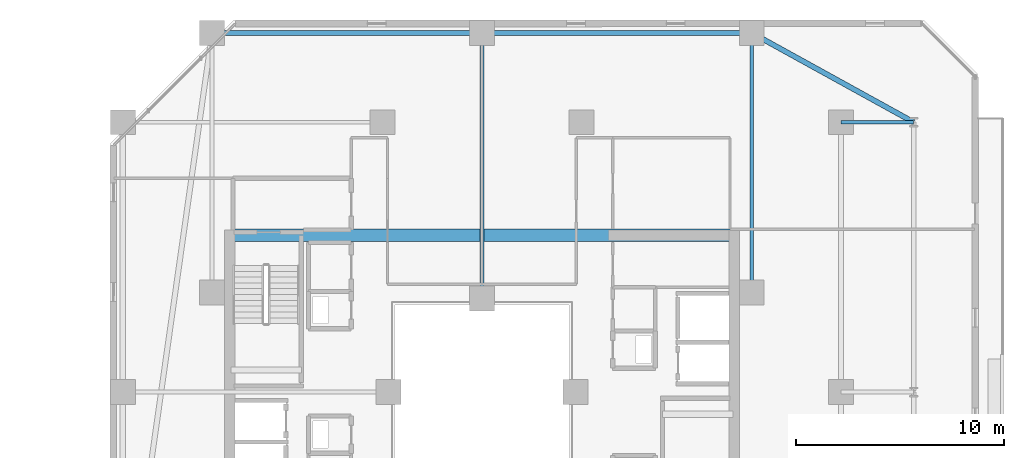
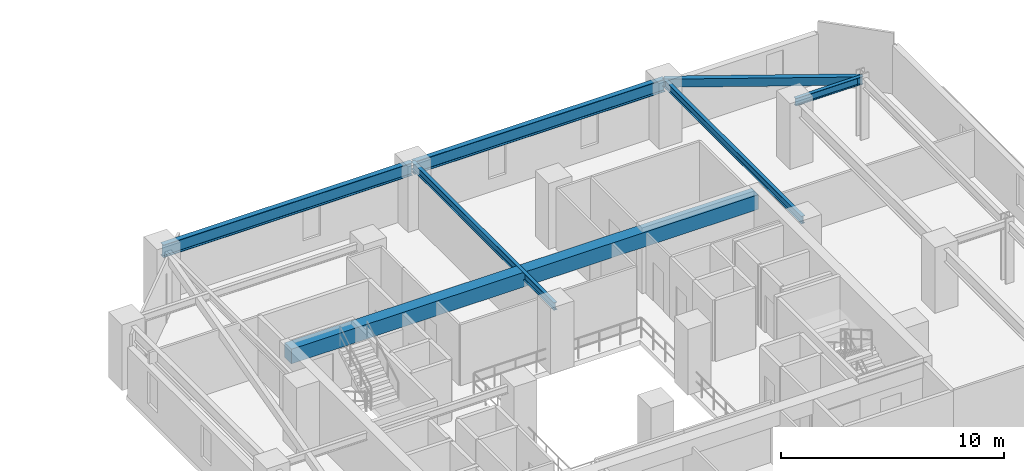
# One storey, part 15 of 32: 7 beams.
"""IFC4 building model written with IfcOpenShell, lengths in metres."""

from ifc_helpers import new_model, si_unit, direction, frame, origin, origin_2d, place, context, subcontext, project, spatial, rectangle, hollow_rectangle, i_section, extrude, material, material_profile, profile_set, type_object, element, save


model = new_model("IFC4")

# Units and contexts
model_context = context("Model", 3, precision=1e-05, world=origin(), true_north=direction((0.0, 1.0)))
body_context = subcontext(model_context, "Body", "Model", "MODEL_VIEW")
ifc_project = project(units=[si_unit("LENGTHUNIT", "METRE"), si_unit("AREAUNIT", "SQUARE_METRE"), si_unit("VOLUMEUNIT", "CUBIC_METRE"), si_unit("PLANEANGLEUNIT", "RADIAN"), si_unit("MASSUNIT", "GRAM", prefix="KILO")], contexts=[model_context])

# Site, building, storey
site_placement = place(None, origin())
site = spatial("IfcSite", under=ifc_project, at=site_placement, CompositionType="ELEMENT")
building_placement = place(site_placement, origin())
building = spatial("IfcBuilding", under=site, at=building_placement, Name="Thornwick Lancets Civic Towers", CompositionType="ELEMENT")
storey_placement = place(building_placement, frame((0.0, 0.0, 123.300048828125)))
storey = spatial("IfcBuildingStorey", under=building, at=storey_placement, Name="L32", CompositionType="ELEMENT", Elevation=123.300048828125)

# Beams
ifc_material_1 = material(Name="Concrete C60/75", Category="concrete")
ifc_material_profile_1 = material_profile(ifc_material_1, rectangle(XDim=0.60009765625, YDim=0.800048828125, at=origin_2d()), Name="RC 600x800")
ifc_profile_set_1 = profile_set([ifc_material_profile_1], Name="Concrete C60/75")
beam_type_1 = type_object("IfcBeamType", Name="BM_COUP_RC800", PredefinedType="BEAM", material=ifc_profile_set_1)
beam_1_placement = place(storey_placement, frame((76.39990234375, 34.550048828125, 2.9599609375), z_axis=(1.0, 0.0, 0.0), x_axis=(0.0, 1.0, 0.0)))
element("IfcBeam", 1, at=beam_1_placement, inside=storey, type_object=beam_type_1, Name="CB-L32-B1", PredefinedType="BEAM", context=body_context, shape_type="SweptSolid", body=[
    extrude(rectangle(XDim=0.60009765625, YDim=0.800048828125, at=origin_2d()), origin(), (0.0, 0.0, 1.0), 24.2001953125),
])
ifc_material_2 = material(Name="Steel S355JR", Category="steel")
ifc_material_profile_2 = material_profile(ifc_material_2, i_section(OverallWidth=0.255859375, OverallDepth=0.69287109375, WebThickness=0.014404296875, FlangeThickness=0.023681640625, FilletRadius=0.01513671875, at=origin_2d()), Name="UKB 686x254x170")
ifc_profile_set_2 = profile_set([ifc_material_profile_2], Name="Steel S355JR")
beam_type_2 = type_object("IfcBeamType", Name="BM_GIRD_686_170", PredefinedType="BEAM", material=ifc_profile_set_2)
beam_2_placement = place(storey_placement, frame((101.5, 44.300048828125, 3.013427734375), z_axis=(-1.0, 0.0, 0.0), x_axis=(0.0, -1.0, 0.0)))
element("IfcBeam", 2, at=beam_2_placement, inside=storey, type_object=beam_type_2, Name="BM-SPINE-L32-B-3-4", PredefinedType="BEAM", context=body_context, shape_type="SweptSolid", body=[
    extrude(i_section(OverallWidth=0.255859375, OverallDepth=0.69287109375, WebThickness=0.014404296875, FlangeThickness=0.023681640625, FilletRadius=0.01513671875, at=origin_2d()), origin(), (0.0, 0.0, 1.0), 13.0),
])
beam_3_placement = place(storey_placement, frame((88.419921875, 44.300048828125, 3.013427734375), z_axis=(-1.0, 0.0, 0.0), x_axis=(0.0, -1.0, 0.0)))
element("IfcBeam", 3, at=beam_3_placement, inside=storey, type_object=beam_type_2, Name="BM-SPINE-L32-B-4-5", PredefinedType="BEAM", context=body_context, shape_type="SweptSolid", body=[
    extrude(i_section(OverallWidth=0.255859375, OverallDepth=0.69287109375, WebThickness=0.014404296875, FlangeThickness=0.023681640625, FilletRadius=0.01513671875, at=origin_2d()), origin(), (0.0, 0.0, 1.0), 12.919921875),
])
ifc_material_profile_3 = material_profile(ifc_material_2, i_section(OverallWidth=0.179443359375, OverallDepth=0.412841796875, WebThickness=0.009521484375, FlangeThickness=0.01611328125, FilletRadius=0.01025390625, at=origin_2d()), Name="UKB 406x178x74")
ifc_profile_set_3 = profile_set([ifc_material_profile_3], Name="Steel S355JR")
beam_type_3 = type_object("IfcBeamType", Name="BM_JOIST_406_74", PredefinedType="JOIST", material=ifc_profile_set_3)
beam_4_placement = place(storey_placement, frame((105.800048828125, 40.0, 3.153564453125), z_axis=(1.0, 0.0, 0.0), x_axis=(0.0, 1.0, 0.0)))
element("IfcBeam", 4, at=beam_4_placement, inside=storey, type_object=beam_type_3, Name="BM-RAD-L32-B03", PredefinedType="JOIST", context=body_context, shape_type="SweptSolid", body=[
    extrude(i_section(OverallWidth=0.179443359375, OverallDepth=0.412841796875, WebThickness=0.009521484375, FlangeThickness=0.01611328125, FilletRadius=0.01025390625, at=origin_2d()), origin(), (0.0, 0.0, 1.0), 3.5),
])
beam_5_placement = place(storey_placement, frame((101.5, 31.800048828125, 3.153564453125), z_axis=(0.0, 1.0, 0.0), x_axis=(-1.0, 0.0, 0.0)))
element("IfcBeam", 5, at=beam_5_placement, inside=storey, type_object=beam_type_3, Name="BM-RADIN-L32-B04", PredefinedType="JOIST", context=body_context, shape_type="SweptSolid", body=[
    extrude(i_section(OverallWidth=0.179443359375, OverallDepth=0.412841796875, WebThickness=0.009521484375, FlangeThickness=0.01611328125, FilletRadius=0.01025390625, at=origin_2d()), origin(), (0.0, 0.0, 1.0), 12.5),
])
beam_6_placement = place(storey_placement, frame((88.5, 31.5, 3.153564453125), z_axis=(0.0, 1.0, 0.0), x_axis=(-1.0, 0.0, 0.0)))
element("IfcBeam", 6, at=beam_6_placement, inside=storey, type_object=beam_type_3, Name="BM-RADIN-L32-B05", PredefinedType="JOIST", context=body_context, shape_type="SweptSolid", body=[
    extrude(i_section(OverallWidth=0.179443359375, OverallDepth=0.412841796875, WebThickness=0.009521484375, FlangeThickness=0.01611328125, FilletRadius=0.01025390625, at=origin_2d()), origin(), (0.0, 0.0, 1.0), 12.800048828125),
])
ifc_material_profile_4 = material_profile(ifc_material_2, hollow_rectangle(XDim=0.25, YDim=0.449951171875, WallThickness=0.01611328125, at=origin_2d()), Name="RHS 450x250x16")
ifc_profile_set_4 = profile_set([ifc_material_profile_4], Name="Steel S355JR")
beam_type_4 = type_object("IfcBeamType", Name="BM_RING_RHS450", PredefinedType="BEAM", material=ifc_profile_set_4)
beam_7_placement = place(storey_placement, frame((109.300048828125, 40.0, 3.135009765625), z_axis=(-0.875740348708, 0.482782395749, 0.0), x_axis=(-0.482782395749, -0.875740348708, 0.0)))
element("IfcBeam", 7, at=beam_7_placement, inside=storey, type_object=beam_type_4, Name="BM-CHAMF-L32-B-C0", PredefinedType="BEAM", context=body_context, shape_type="SweptSolid", body=[
    extrude(hollow_rectangle(XDim=0.25, YDim=0.449951171875, WallThickness=0.01611328125, at=origin_2d()), origin(), (0.0, 0.0, 1.0), 8.90673828125),
])

save(model, "model.ifc")
